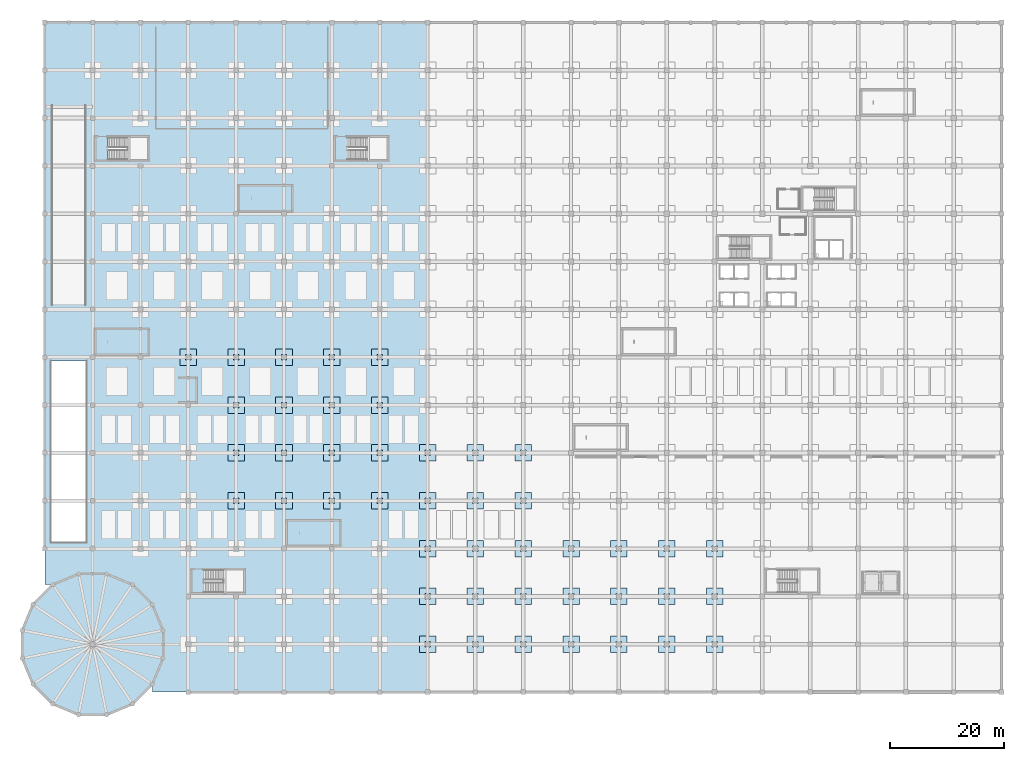
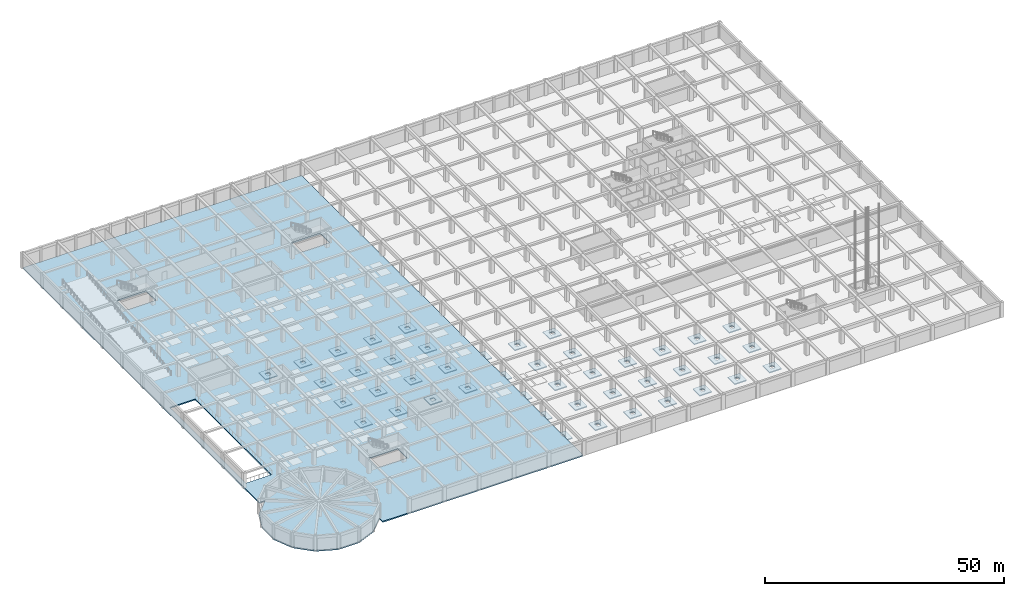
# One storey, part 10 of 32: 45 slabs.
"""IFC4 building model written with IfcOpenShell, lengths in metres."""

from ifc_helpers import new_model, si_unit, direction, frame, origin, place, context, subcontext, project, spatial, polyline, outline, extrude, material, layer, layer_set, type_object, element, save


model = new_model("IFC4")

# Units and contexts
model_context = context("Model", 3, precision=1e-05, world=origin(), true_north=direction((0.0, 1.0)))
body_context = subcontext(model_context, "Body", "Model", "MODEL_VIEW")
ifc_project = project(units=[si_unit("LENGTHUNIT", "METRE"), si_unit("AREAUNIT", "SQUARE_METRE"), si_unit("VOLUMEUNIT", "CUBIC_METRE"), si_unit("PLANEANGLEUNIT", "RADIAN"), si_unit("MASSUNIT", "GRAM", prefix="KILO")], contexts=[model_context])

# Site, building, storey
site_placement = place(None, origin())
site = spatial("IfcSite", under=ifc_project, at=site_placement, CompositionType="ELEMENT")
building_placement = place(site_placement, origin())
building = spatial("IfcBuilding", under=site, at=building_placement, Name="Almacenes y Pasaje Nevantli", CompositionType="ELEMENT")
storey_placement = place(building_placement, frame((0.0, 0.0, -4.199951171875)))
storey = spatial("IfcBuildingStorey", under=building, at=storey_placement, Name="B01", CompositionType="ELEMENT", Elevation=-4.199951171875)

# Slabs
ifc_material_1 = material(Name="Concrete C35/45", Category="concrete")
ifc_layer_1 = layer(ifc_material_1, 0.25)
ifc_layer_set_1 = layer_set([ifc_layer_1], Name="Concrete C35/45")
slab_type_1 = type_object("IfcSlabType", Name="SLB-DP-250", PredefinedType="USERDEFINED", material=ifc_layer_set_1)
slab_1_placement = place(storey_placement, frame((0.0, 0.0, -0.550048828125)))
element("IfcSlab", 1, at=slab_1_placement, inside=storey, type_object=slab_type_1, Name="B01 Punching-Shear Drop Panel DP-02 #15", ObjectType="DROP PANEL", PredefinedType="USERDEFINED", context=body_context, shape_type="SweptSolid", body=[
    extrude(outline(polyline([(23.75, 57.35009765625), (26.64990234375, 57.35009765625), (26.64990234375, 60.25), (23.75, 60.25), (23.75, 57.35009765625)]), holes=[polyline([(24.719970703125, 58.320068359375), (25.679931640625, 58.320068359375), (25.679931640625, 59.280029296875), (24.719970703125, 59.280029296875), (24.719970703125, 58.320068359375)])]), origin(), (0.0, 0.0, 1.0), 0.25),
])
slab_2_placement = place(storey_placement, frame((0.0, 0.0, -0.550048828125)))
element("IfcSlab", 2, at=slab_2_placement, inside=storey, type_object=slab_type_1, Name="B01 Punching-Shear Drop Panel DP-02 #24", ObjectType="DROP PANEL", PredefinedType="USERDEFINED", context=body_context, shape_type="SweptSolid", body=[
    extrude(outline(polyline([(32.14990234375, 32.14990234375), (35.050048828125, 32.14990234375), (35.050048828125, 35.050048828125), (32.14990234375, 35.050048828125), (32.14990234375, 32.14990234375)]), holes=[polyline([(33.1201171875, 33.1201171875), (34.080078125, 33.1201171875), (34.080078125, 34.080078125), (33.1201171875, 34.080078125), (33.1201171875, 33.1201171875)])]), origin(), (0.0, 0.0, 1.0), 0.25),
])
slab_3_placement = place(storey_placement, frame((0.0, 0.0, -0.550048828125)))
element("IfcSlab", 3, at=slab_3_placement, inside=storey, type_object=slab_type_1, Name="B01 Punching-Shear Drop Panel DP-02 #25", ObjectType="DROP PANEL", PredefinedType="USERDEFINED", context=body_context, shape_type="SweptSolid", body=[
    extrude(outline(polyline([(32.14990234375, 40.550048828125), (35.050048828125, 40.550048828125), (35.050048828125, 43.449951171875), (32.14990234375, 43.449951171875), (32.14990234375, 40.550048828125)]), holes=[polyline([(33.1201171875, 41.52001953125), (34.080078125, 41.52001953125), (34.080078125, 42.47998046875), (33.1201171875, 42.47998046875), (33.1201171875, 41.52001953125)])]), origin(), (0.0, 0.0, 1.0), 0.25),
])
slab_4_placement = place(storey_placement, frame((0.0, 0.0, -0.550048828125)))
element("IfcSlab", 4, at=slab_4_placement, inside=storey, type_object=slab_type_1, Name="B01 Punching-Shear Drop Panel DP-02 #26", ObjectType="DROP PANEL", PredefinedType="USERDEFINED", context=body_context, shape_type="SweptSolid", body=[
    extrude(outline(polyline([(32.14990234375, 48.949951171875), (35.050048828125, 48.949951171875), (35.050048828125, 51.85009765625), (32.14990234375, 51.85009765625), (32.14990234375, 48.949951171875)]), holes=[polyline([(33.1201171875, 49.919921875), (34.080078125, 49.919921875), (34.080078125, 50.8798828125), (33.1201171875, 50.8798828125), (33.1201171875, 49.919921875)])]), origin(), (0.0, 0.0, 1.0), 0.25),
])
slab_5_placement = place(storey_placement, frame((0.0, 0.0, -0.550048828125)))
element("IfcSlab", 5, at=slab_5_placement, inside=storey, type_object=slab_type_1, Name="B01 Punching-Shear Drop Panel DP-02 #27", ObjectType="DROP PANEL", PredefinedType="USERDEFINED", context=body_context, shape_type="SweptSolid", body=[
    extrude(outline(polyline([(32.14990234375, 57.35009765625), (35.050048828125, 57.35009765625), (35.050048828125, 60.25), (32.14990234375, 60.25), (32.14990234375, 57.35009765625)]), holes=[polyline([(33.1201171875, 58.320068359375), (34.080078125, 58.320068359375), (34.080078125, 59.280029296875), (33.1201171875, 59.280029296875), (33.1201171875, 58.320068359375)])]), origin(), (0.0, 0.0, 1.0), 0.25),
])
slab_6_placement = place(storey_placement, frame((0.0, 0.0, -0.550048828125)))
element("IfcSlab", 6, at=slab_6_placement, inside=storey, type_object=slab_type_1, Name="B01 Punching-Shear Drop Panel DP-02 #35", ObjectType="DROP PANEL", PredefinedType="USERDEFINED", context=body_context, shape_type="SweptSolid", body=[
    extrude(outline(polyline([(40.550048828125, 32.14990234375), (43.449951171875, 32.14990234375), (43.449951171875, 35.050048828125), (40.550048828125, 35.050048828125), (40.550048828125, 32.14990234375)]), holes=[polyline([(41.52001953125, 33.1201171875), (42.47998046875, 33.1201171875), (42.47998046875, 34.080078125), (41.52001953125, 34.080078125), (41.52001953125, 33.1201171875)])]), origin(), (0.0, 0.0, 1.0), 0.25),
])
slab_7_placement = place(storey_placement, frame((0.0, 0.0, -0.550048828125)))
element("IfcSlab", 7, at=slab_7_placement, inside=storey, type_object=slab_type_1, Name="B01 Punching-Shear Drop Panel DP-02 #36", ObjectType="DROP PANEL", PredefinedType="USERDEFINED", context=body_context, shape_type="SweptSolid", body=[
    extrude(outline(polyline([(40.550048828125, 40.550048828125), (43.449951171875, 40.550048828125), (43.449951171875, 43.449951171875), (40.550048828125, 43.449951171875), (40.550048828125, 40.550048828125)]), holes=[polyline([(41.52001953125, 41.52001953125), (42.47998046875, 41.52001953125), (42.47998046875, 42.47998046875), (41.52001953125, 42.47998046875), (41.52001953125, 41.52001953125)])]), origin(), (0.0, 0.0, 1.0), 0.25),
])
slab_8_placement = place(storey_placement, frame((0.0, 0.0, -0.550048828125)))
element("IfcSlab", 8, at=slab_8_placement, inside=storey, type_object=slab_type_1, Name="B01 Punching-Shear Drop Panel DP-02 #37", ObjectType="DROP PANEL", PredefinedType="USERDEFINED", context=body_context, shape_type="SweptSolid", body=[
    extrude(outline(polyline([(40.550048828125, 48.949951171875), (43.449951171875, 48.949951171875), (43.449951171875, 51.85009765625), (40.550048828125, 51.85009765625), (40.550048828125, 48.949951171875)]), holes=[polyline([(41.52001953125, 49.919921875), (42.47998046875, 49.919921875), (42.47998046875, 50.8798828125), (41.52001953125, 50.8798828125), (41.52001953125, 49.919921875)])]), origin(), (0.0, 0.0, 1.0), 0.25),
])
slab_9_placement = place(storey_placement, frame((0.0, 0.0, -0.550048828125)))
element("IfcSlab", 9, at=slab_9_placement, inside=storey, type_object=slab_type_1, Name="B01 Punching-Shear Drop Panel DP-02 #38", ObjectType="DROP PANEL", PredefinedType="USERDEFINED", context=body_context, shape_type="SweptSolid", body=[
    extrude(outline(polyline([(40.550048828125, 57.35009765625), (43.449951171875, 57.35009765625), (43.449951171875, 60.25), (40.550048828125, 60.25), (40.550048828125, 57.35009765625)]), holes=[polyline([(41.52001953125, 58.320068359375), (42.47998046875, 58.320068359375), (42.47998046875, 59.280029296875), (41.52001953125, 59.280029296875), (41.52001953125, 58.320068359375)])]), origin(), (0.0, 0.0, 1.0), 0.25),
])
slab_10_placement = place(storey_placement, frame((0.0, 0.0, -0.550048828125)))
element("IfcSlab", 10, at=slab_10_placement, inside=storey, type_object=slab_type_1, Name="B01 Punching-Shear Drop Panel DP-02 #46", ObjectType="DROP PANEL", PredefinedType="USERDEFINED", context=body_context, shape_type="SweptSolid", body=[
    extrude(outline(polyline([(48.949951171875, 32.14990234375), (51.85009765625, 32.14990234375), (51.85009765625, 35.050048828125), (48.949951171875, 35.050048828125), (48.949951171875, 32.14990234375)]), holes=[polyline([(49.919921875, 33.1201171875), (50.8798828125, 33.1201171875), (50.8798828125, 34.080078125), (49.919921875, 34.080078125), (49.919921875, 33.1201171875)])]), origin(), (0.0, 0.0, 1.0), 0.25),
])
slab_11_placement = place(storey_placement, frame((0.0, 0.0, -0.550048828125)))
element("IfcSlab", 11, at=slab_11_placement, inside=storey, type_object=slab_type_1, Name="B01 Punching-Shear Drop Panel DP-02 #47", ObjectType="DROP PANEL", PredefinedType="USERDEFINED", context=body_context, shape_type="SweptSolid", body=[
    extrude(outline(polyline([(48.949951171875, 40.550048828125), (51.85009765625, 40.550048828125), (51.85009765625, 43.449951171875), (48.949951171875, 43.449951171875), (48.949951171875, 40.550048828125)]), holes=[polyline([(49.919921875, 41.52001953125), (50.8798828125, 41.52001953125), (50.8798828125, 42.47998046875), (49.919921875, 42.47998046875), (49.919921875, 41.52001953125)])]), origin(), (0.0, 0.0, 1.0), 0.25),
])
slab_12_placement = place(storey_placement, frame((0.0, 0.0, -0.550048828125)))
element("IfcSlab", 12, at=slab_12_placement, inside=storey, type_object=slab_type_1, Name="B01 Punching-Shear Drop Panel DP-02 #48", ObjectType="DROP PANEL", PredefinedType="USERDEFINED", context=body_context, shape_type="SweptSolid", body=[
    extrude(outline(polyline([(48.949951171875, 48.949951171875), (51.85009765625, 48.949951171875), (51.85009765625, 51.85009765625), (48.949951171875, 51.85009765625), (48.949951171875, 48.949951171875)]), holes=[polyline([(49.919921875, 49.919921875), (50.8798828125, 49.919921875), (50.8798828125, 50.8798828125), (49.919921875, 50.8798828125), (49.919921875, 49.919921875)])]), origin(), (0.0, 0.0, 1.0), 0.25),
])
slab_13_placement = place(storey_placement, frame((0.0, 0.0, -0.550048828125)))
element("IfcSlab", 13, at=slab_13_placement, inside=storey, type_object=slab_type_1, Name="B01 Punching-Shear Drop Panel DP-02 #49", ObjectType="DROP PANEL", PredefinedType="USERDEFINED", context=body_context, shape_type="SweptSolid", body=[
    extrude(outline(polyline([(48.949951171875, 57.35009765625), (51.85009765625, 57.35009765625), (51.85009765625, 60.25), (48.949951171875, 60.25), (48.949951171875, 57.35009765625)]), holes=[polyline([(49.919921875, 58.320068359375), (50.8798828125, 58.320068359375), (50.8798828125, 59.280029296875), (49.919921875, 59.280029296875), (49.919921875, 58.320068359375)])]), origin(), (0.0, 0.0, 1.0), 0.25),
])
slab_14_placement = place(storey_placement, frame((0.0, 0.0, -0.550048828125)))
element("IfcSlab", 14, at=slab_14_placement, inside=storey, type_object=slab_type_1, Name="B01 Punching-Shear Drop Panel DP-02 #58", ObjectType="DROP PANEL", PredefinedType="USERDEFINED", context=body_context, shape_type="SweptSolid", body=[
    extrude(outline(polyline([(57.35009765625, 32.14990234375), (60.25, 32.14990234375), (60.25, 35.050048828125), (57.35009765625, 35.050048828125), (57.35009765625, 32.14990234375)]), holes=[polyline([(58.320068359375, 33.1201171875), (59.280029296875, 33.1201171875), (59.280029296875, 34.080078125), (58.320068359375, 34.080078125), (58.320068359375, 33.1201171875)])]), origin(), (0.0, 0.0, 1.0), 0.25),
])
slab_15_placement = place(storey_placement, frame((0.0, 0.0, -0.550048828125)))
element("IfcSlab", 15, at=slab_15_placement, inside=storey, type_object=slab_type_1, Name="B01 Punching-Shear Drop Panel DP-02 #59", ObjectType="DROP PANEL", PredefinedType="USERDEFINED", context=body_context, shape_type="SweptSolid", body=[
    extrude(outline(polyline([(57.35009765625, 40.550048828125), (60.25, 40.550048828125), (60.25, 43.449951171875), (57.35009765625, 43.449951171875), (57.35009765625, 40.550048828125)]), holes=[polyline([(58.320068359375, 41.52001953125), (59.280029296875, 41.52001953125), (59.280029296875, 42.47998046875), (58.320068359375, 42.47998046875), (58.320068359375, 41.52001953125)])]), origin(), (0.0, 0.0, 1.0), 0.25),
])
slab_16_placement = place(storey_placement, frame((0.0, 0.0, -0.550048828125)))
element("IfcSlab", 16, at=slab_16_placement, inside=storey, type_object=slab_type_1, Name="B01 Punching-Shear Drop Panel DP-02 #60", ObjectType="DROP PANEL", PredefinedType="USERDEFINED", context=body_context, shape_type="SweptSolid", body=[
    extrude(outline(polyline([(57.35009765625, 48.949951171875), (60.25, 48.949951171875), (60.25, 51.85009765625), (57.35009765625, 51.85009765625), (57.35009765625, 48.949951171875)]), holes=[polyline([(58.320068359375, 49.919921875), (59.280029296875, 49.919921875), (59.280029296875, 50.8798828125), (58.320068359375, 50.8798828125), (58.320068359375, 49.919921875)])]), origin(), (0.0, 0.0, 1.0), 0.25),
])
slab_17_placement = place(storey_placement, frame((0.0, 0.0, -0.550048828125)))
element("IfcSlab", 17, at=slab_17_placement, inside=storey, type_object=slab_type_1, Name="B01 Punching-Shear Drop Panel DP-02 #61", ObjectType="DROP PANEL", PredefinedType="USERDEFINED", context=body_context, shape_type="SweptSolid", body=[
    extrude(outline(polyline([(57.35009765625, 57.35009765625), (60.25, 57.35009765625), (60.25, 60.25), (57.35009765625, 60.25), (57.35009765625, 57.35009765625)]), holes=[polyline([(58.320068359375, 58.320068359375), (59.280029296875, 58.320068359375), (59.280029296875, 59.280029296875), (58.320068359375, 59.280029296875), (58.320068359375, 58.320068359375)])]), origin(), (0.0, 0.0, 1.0), 0.25),
])
slab_18_placement = place(storey_placement, frame((0.0, 0.0, -0.550048828125)))
element("IfcSlab", 18, at=slab_18_placement, inside=storey, type_object=slab_type_1, Name="B01 Punching-Shear Drop Panel DP-02 #67", ObjectType="DROP PANEL", PredefinedType="USERDEFINED", context=body_context, shape_type="SweptSolid", body=[
    extrude(outline(polyline([(65.75, 6.949951171875), (68.64990234375, 6.949951171875), (68.64990234375, 9.85009765625), (65.75, 9.85009765625), (65.75, 6.949951171875)]), holes=[polyline([(66.719970703125, 7.919921875), (67.679931640625, 7.919921875), (67.679931640625, 8.8798828125), (66.719970703125, 8.8798828125), (66.719970703125, 7.919921875)])]), origin(), (0.0, 0.0, 1.0), 0.25),
])
slab_19_placement = place(storey_placement, frame((0.0, 0.0, -0.550048828125)))
element("IfcSlab", 19, at=slab_19_placement, inside=storey, type_object=slab_type_1, Name="B01 Punching-Shear Drop Panel DP-02 #68", ObjectType="DROP PANEL", PredefinedType="USERDEFINED", context=body_context, shape_type="SweptSolid", body=[
    extrude(outline(polyline([(65.75, 15.35009765625), (68.64990234375, 15.35009765625), (68.64990234375, 18.25), (65.75, 18.25), (65.75, 15.35009765625)]), holes=[polyline([(66.719970703125, 16.320068359375), (67.679931640625, 16.320068359375), (67.679931640625, 17.280029296875), (66.719970703125, 17.280029296875), (66.719970703125, 16.320068359375)])]), origin(), (0.0, 0.0, 1.0), 0.25),
])
slab_20_placement = place(storey_placement, frame((0.0, 0.0, -0.550048828125)))
element("IfcSlab", 20, at=slab_20_placement, inside=storey, type_object=slab_type_1, Name="B01 Punching-Shear Drop Panel DP-02 #69", ObjectType="DROP PANEL", PredefinedType="USERDEFINED", context=body_context, shape_type="SweptSolid", body=[
    extrude(outline(polyline([(65.75, 23.75), (68.64990234375, 23.75), (68.64990234375, 26.64990234375), (65.75, 26.64990234375), (65.75, 23.75)]), holes=[polyline([(66.719970703125, 24.719970703125), (67.679931640625, 24.719970703125), (67.679931640625, 25.679931640625), (66.719970703125, 25.679931640625), (66.719970703125, 24.719970703125)])]), origin(), (0.0, 0.0, 1.0), 0.25),
])
slab_21_placement = place(storey_placement, frame((0.0, 0.0, -0.550048828125)))
element("IfcSlab", 21, at=slab_21_placement, inside=storey, type_object=slab_type_1, Name="B01 Punching-Shear Drop Panel DP-02 #70", ObjectType="DROP PANEL", PredefinedType="USERDEFINED", context=body_context, shape_type="SweptSolid", body=[
    extrude(outline(polyline([(65.75, 32.14990234375), (68.64990234375, 32.14990234375), (68.64990234375, 35.050048828125), (65.75, 35.050048828125), (65.75, 32.14990234375)]), holes=[polyline([(66.719970703125, 33.1201171875), (67.679931640625, 33.1201171875), (67.679931640625, 34.080078125), (66.719970703125, 34.080078125), (66.719970703125, 33.1201171875)])]), origin(), (0.0, 0.0, 1.0), 0.25),
])
slab_22_placement = place(storey_placement, frame((0.0, 0.0, -0.550048828125)))
element("IfcSlab", 22, at=slab_22_placement, inside=storey, type_object=slab_type_1, Name="B01 Punching-Shear Drop Panel DP-02 #71", ObjectType="DROP PANEL", PredefinedType="USERDEFINED", context=body_context, shape_type="SweptSolid", body=[
    extrude(outline(polyline([(65.75, 40.550048828125), (68.64990234375, 40.550048828125), (68.64990234375, 43.449951171875), (65.75, 43.449951171875), (65.75, 40.550048828125)]), holes=[polyline([(66.719970703125, 41.52001953125), (67.679931640625, 41.52001953125), (67.679931640625, 42.47998046875), (66.719970703125, 42.47998046875), (66.719970703125, 41.52001953125)])]), origin(), (0.0, 0.0, 1.0), 0.25),
])
slab_23_placement = place(storey_placement, frame((0.0, 0.0, -0.550048828125)))
element("IfcSlab", 23, at=slab_23_placement, inside=storey, type_object=slab_type_1, Name="B01 Punching-Shear Drop Panel DP-02 #80", ObjectType="DROP PANEL", PredefinedType="USERDEFINED", context=body_context, shape_type="SweptSolid", body=[
    extrude(outline(polyline([(74.14990234375, 6.949951171875), (77.050048828125, 6.949951171875), (77.050048828125, 9.85009765625), (74.14990234375, 9.85009765625), (74.14990234375, 6.949951171875)]), holes=[polyline([(75.1201171875, 7.919921875), (76.080078125, 7.919921875), (76.080078125, 8.8798828125), (75.1201171875, 8.8798828125), (75.1201171875, 7.919921875)])]), origin(), (0.0, 0.0, 1.0), 0.25),
])
slab_24_placement = place(storey_placement, frame((0.0, 0.0, -0.550048828125)))
element("IfcSlab", 24, at=slab_24_placement, inside=storey, type_object=slab_type_1, Name="B01 Punching-Shear Drop Panel DP-02 #81", ObjectType="DROP PANEL", PredefinedType="USERDEFINED", context=body_context, shape_type="SweptSolid", body=[
    extrude(outline(polyline([(74.14990234375, 15.35009765625), (77.050048828125, 15.35009765625), (77.050048828125, 18.25), (74.14990234375, 18.25), (74.14990234375, 15.35009765625)]), holes=[polyline([(75.1201171875, 16.320068359375), (76.080078125, 16.320068359375), (76.080078125, 17.280029296875), (75.1201171875, 17.280029296875), (75.1201171875, 16.320068359375)])]), origin(), (0.0, 0.0, 1.0), 0.25),
])
slab_25_placement = place(storey_placement, frame((0.0, 0.0, -0.550048828125)))
element("IfcSlab", 25, at=slab_25_placement, inside=storey, type_object=slab_type_1, Name="B01 Punching-Shear Drop Panel DP-02 #82", ObjectType="DROP PANEL", PredefinedType="USERDEFINED", context=body_context, shape_type="SweptSolid", body=[
    extrude(outline(polyline([(74.14990234375, 23.75), (77.050048828125, 23.75), (77.050048828125, 26.64990234375), (74.14990234375, 26.64990234375), (74.14990234375, 23.75)]), holes=[polyline([(75.1201171875, 24.719970703125), (76.080078125, 24.719970703125), (76.080078125, 25.679931640625), (75.1201171875, 25.679931640625), (75.1201171875, 24.719970703125)])]), origin(), (0.0, 0.0, 1.0), 0.25),
])
slab_26_placement = place(storey_placement, frame((0.0, 0.0, -0.550048828125)))
element("IfcSlab", 26, at=slab_26_placement, inside=storey, type_object=slab_type_1, Name="B01 Punching-Shear Drop Panel DP-02 #83", ObjectType="DROP PANEL", PredefinedType="USERDEFINED", context=body_context, shape_type="SweptSolid", body=[
    extrude(outline(polyline([(74.14990234375, 32.14990234375), (77.050048828125, 32.14990234375), (77.050048828125, 35.050048828125), (74.14990234375, 35.050048828125), (74.14990234375, 32.14990234375)]), holes=[polyline([(75.1201171875, 33.1201171875), (76.080078125, 33.1201171875), (76.080078125, 34.080078125), (75.1201171875, 34.080078125), (75.1201171875, 33.1201171875)])]), origin(), (0.0, 0.0, 1.0), 0.25),
])
slab_27_placement = place(storey_placement, frame((0.0, 0.0, -0.550048828125)))
element("IfcSlab", 27, at=slab_27_placement, inside=storey, type_object=slab_type_1, Name="B01 Punching-Shear Drop Panel DP-02 #84", ObjectType="DROP PANEL", PredefinedType="USERDEFINED", context=body_context, shape_type="SweptSolid", body=[
    extrude(outline(polyline([(74.14990234375, 40.550048828125), (77.050048828125, 40.550048828125), (77.050048828125, 43.449951171875), (74.14990234375, 43.449951171875), (74.14990234375, 40.550048828125)]), holes=[polyline([(75.1201171875, 41.52001953125), (76.080078125, 41.52001953125), (76.080078125, 42.47998046875), (75.1201171875, 42.47998046875), (75.1201171875, 41.52001953125)])]), origin(), (0.0, 0.0, 1.0), 0.25),
])
slab_28_placement = place(storey_placement, frame((0.0, 0.0, -0.550048828125)))
element("IfcSlab", 28, at=slab_28_placement, inside=storey, type_object=slab_type_1, Name="B01 Punching-Shear Drop Panel DP-02 #93", ObjectType="DROP PANEL", PredefinedType="USERDEFINED", context=body_context, shape_type="SweptSolid", body=[
    extrude(outline(polyline([(82.550048828125, 6.949951171875), (85.449951171875, 6.949951171875), (85.449951171875, 9.85009765625), (82.550048828125, 9.85009765625), (82.550048828125, 6.949951171875)]), holes=[polyline([(83.52001953125, 7.919921875), (84.47998046875, 7.919921875), (84.47998046875, 8.8798828125), (83.52001953125, 8.8798828125), (83.52001953125, 7.919921875)])]), origin(), (0.0, 0.0, 1.0), 0.25),
])
slab_29_placement = place(storey_placement, frame((0.0, 0.0, -0.550048828125)))
element("IfcSlab", 29, at=slab_29_placement, inside=storey, type_object=slab_type_1, Name="B01 Punching-Shear Drop Panel DP-02 #94", ObjectType="DROP PANEL", PredefinedType="USERDEFINED", context=body_context, shape_type="SweptSolid", body=[
    extrude(outline(polyline([(82.550048828125, 15.35009765625), (85.449951171875, 15.35009765625), (85.449951171875, 18.25), (82.550048828125, 18.25), (82.550048828125, 15.35009765625)]), holes=[polyline([(83.52001953125, 16.320068359375), (84.47998046875, 16.320068359375), (84.47998046875, 17.280029296875), (83.52001953125, 17.280029296875), (83.52001953125, 16.320068359375)])]), origin(), (0.0, 0.0, 1.0), 0.25),
])
slab_30_placement = place(storey_placement, frame((0.0, 0.0, -0.550048828125)))
element("IfcSlab", 30, at=slab_30_placement, inside=storey, type_object=slab_type_1, Name="B01 Punching-Shear Drop Panel DP-02 #95", ObjectType="DROP PANEL", PredefinedType="USERDEFINED", context=body_context, shape_type="SweptSolid", body=[
    extrude(outline(polyline([(82.550048828125, 23.75), (85.449951171875, 23.75), (85.449951171875, 26.64990234375), (82.550048828125, 26.64990234375), (82.550048828125, 23.75)]), holes=[polyline([(83.52001953125, 24.719970703125), (84.47998046875, 24.719970703125), (84.47998046875, 25.679931640625), (83.52001953125, 25.679931640625), (83.52001953125, 24.719970703125)])]), origin(), (0.0, 0.0, 1.0), 0.25),
])
slab_31_placement = place(storey_placement, frame((0.0, 0.0, -0.550048828125)))
element("IfcSlab", 31, at=slab_31_placement, inside=storey, type_object=slab_type_1, Name="B01 Punching-Shear Drop Panel DP-02 #96", ObjectType="DROP PANEL", PredefinedType="USERDEFINED", context=body_context, shape_type="SweptSolid", body=[
    extrude(outline(polyline([(82.550048828125, 32.14990234375), (85.449951171875, 32.14990234375), (85.449951171875, 35.050048828125), (82.550048828125, 35.050048828125), (82.550048828125, 32.14990234375)]), holes=[polyline([(83.52001953125, 33.1201171875), (84.47998046875, 33.1201171875), (84.47998046875, 34.080078125), (83.52001953125, 34.080078125), (83.52001953125, 33.1201171875)])]), origin(), (0.0, 0.0, 1.0), 0.25),
])
slab_32_placement = place(storey_placement, frame((0.0, 0.0, -0.550048828125)))
element("IfcSlab", 32, at=slab_32_placement, inside=storey, type_object=slab_type_1, Name="B01 Punching-Shear Drop Panel DP-02 #97", ObjectType="DROP PANEL", PredefinedType="USERDEFINED", context=body_context, shape_type="SweptSolid", body=[
    extrude(outline(polyline([(82.550048828125, 40.550048828125), (85.449951171875, 40.550048828125), (85.449951171875, 43.449951171875), (82.550048828125, 43.449951171875), (82.550048828125, 40.550048828125)]), holes=[polyline([(83.52001953125, 41.52001953125), (84.47998046875, 41.52001953125), (84.47998046875, 42.47998046875), (83.52001953125, 42.47998046875), (83.52001953125, 41.52001953125)])]), origin(), (0.0, 0.0, 1.0), 0.25),
])
slab_33_placement = place(storey_placement, frame((0.0, 0.0, -0.550048828125)))
element("IfcSlab", 33, at=slab_33_placement, inside=storey, type_object=slab_type_1, Name="B01 Punching-Shear Drop Panel DP-02 #106", ObjectType="DROP PANEL", PredefinedType="USERDEFINED", context=body_context, shape_type="SweptSolid", body=[
    extrude(outline(polyline([(90.949951171875, 6.949951171875), (93.85009765625, 6.949951171875), (93.85009765625, 9.85009765625), (90.949951171875, 9.85009765625), (90.949951171875, 6.949951171875)]), holes=[polyline([(91.919921875, 7.919921875), (92.8798828125, 7.919921875), (92.8798828125, 8.8798828125), (91.919921875, 8.8798828125), (91.919921875, 7.919921875)])]), origin(), (0.0, 0.0, 1.0), 0.25),
])
slab_34_placement = place(storey_placement, frame((0.0, 0.0, -0.550048828125)))
element("IfcSlab", 34, at=slab_34_placement, inside=storey, type_object=slab_type_1, Name="B01 Punching-Shear Drop Panel DP-02 #107", ObjectType="DROP PANEL", PredefinedType="USERDEFINED", context=body_context, shape_type="SweptSolid", body=[
    extrude(outline(polyline([(90.949951171875, 15.35009765625), (93.85009765625, 15.35009765625), (93.85009765625, 18.25), (90.949951171875, 18.25), (90.949951171875, 15.35009765625)]), holes=[polyline([(91.919921875, 16.320068359375), (92.8798828125, 16.320068359375), (92.8798828125, 17.280029296875), (91.919921875, 17.280029296875), (91.919921875, 16.320068359375)])]), origin(), (0.0, 0.0, 1.0), 0.25),
])
slab_35_placement = place(storey_placement, frame((0.0, 0.0, -0.550048828125)))
element("IfcSlab", 35, at=slab_35_placement, inside=storey, type_object=slab_type_1, Name="B01 Punching-Shear Drop Panel DP-02 #108", ObjectType="DROP PANEL", PredefinedType="USERDEFINED", context=body_context, shape_type="SweptSolid", body=[
    extrude(outline(polyline([(90.949951171875, 23.75), (93.85009765625, 23.75), (93.85009765625, 26.64990234375), (90.949951171875, 26.64990234375), (90.949951171875, 23.75)]), holes=[polyline([(91.919921875, 24.719970703125), (92.8798828125, 24.719970703125), (92.8798828125, 25.679931640625), (91.919921875, 25.679931640625), (91.919921875, 24.719970703125)])]), origin(), (0.0, 0.0, 1.0), 0.25),
])
slab_36_placement = place(storey_placement, frame((0.0, 0.0, -0.550048828125)))
element("IfcSlab", 36, at=slab_36_placement, inside=storey, type_object=slab_type_1, Name="B01 Punching-Shear Drop Panel DP-02 #118", ObjectType="DROP PANEL", PredefinedType="USERDEFINED", context=body_context, shape_type="SweptSolid", body=[
    extrude(outline(polyline([(99.35009765625, 6.949951171875), (102.25, 6.949951171875), (102.25, 9.85009765625), (99.35009765625, 9.85009765625), (99.35009765625, 6.949951171875)]), holes=[polyline([(100.320068359375, 7.919921875), (101.280029296875, 7.919921875), (101.280029296875, 8.8798828125), (100.320068359375, 8.8798828125), (100.320068359375, 7.919921875)])]), origin(), (0.0, 0.0, 1.0), 0.25),
])
slab_37_placement = place(storey_placement, frame((0.0, 0.0, -0.550048828125)))
element("IfcSlab", 37, at=slab_37_placement, inside=storey, type_object=slab_type_1, Name="B01 Punching-Shear Drop Panel DP-02 #119", ObjectType="DROP PANEL", PredefinedType="USERDEFINED", context=body_context, shape_type="SweptSolid", body=[
    extrude(outline(polyline([(99.35009765625, 15.35009765625), (102.25, 15.35009765625), (102.25, 18.25), (99.35009765625, 18.25), (99.35009765625, 15.35009765625)]), holes=[polyline([(100.320068359375, 16.320068359375), (101.280029296875, 16.320068359375), (101.280029296875, 17.280029296875), (100.320068359375, 17.280029296875), (100.320068359375, 16.320068359375)])]), origin(), (0.0, 0.0, 1.0), 0.25),
])
slab_38_placement = place(storey_placement, frame((0.0, 0.0, -0.550048828125)))
element("IfcSlab", 38, at=slab_38_placement, inside=storey, type_object=slab_type_1, Name="B01 Punching-Shear Drop Panel DP-02 #120", ObjectType="DROP PANEL", PredefinedType="USERDEFINED", context=body_context, shape_type="SweptSolid", body=[
    extrude(outline(polyline([(99.35009765625, 23.75), (102.25, 23.75), (102.25, 26.64990234375), (99.35009765625, 26.64990234375), (99.35009765625, 23.75)]), holes=[polyline([(100.320068359375, 24.719970703125), (101.280029296875, 24.719970703125), (101.280029296875, 25.679931640625), (100.320068359375, 25.679931640625), (100.320068359375, 24.719970703125)])]), origin(), (0.0, 0.0, 1.0), 0.25),
])
slab_39_placement = place(storey_placement, frame((0.0, 0.0, -0.550048828125)))
element("IfcSlab", 39, at=slab_39_placement, inside=storey, type_object=slab_type_1, Name="B01 Punching-Shear Drop Panel DP-02 #129", ObjectType="DROP PANEL", PredefinedType="USERDEFINED", context=body_context, shape_type="SweptSolid", body=[
    extrude(outline(polyline([(107.75, 6.949951171875), (110.64990234375, 6.949951171875), (110.64990234375, 9.85009765625), (107.75, 9.85009765625), (107.75, 6.949951171875)]), holes=[polyline([(108.719970703125, 7.919921875), (109.679931640625, 7.919921875), (109.679931640625, 8.8798828125), (108.719970703125, 8.8798828125), (108.719970703125, 7.919921875)])]), origin(), (0.0, 0.0, 1.0), 0.25),
])
slab_40_placement = place(storey_placement, frame((0.0, 0.0, -0.550048828125)))
element("IfcSlab", 40, at=slab_40_placement, inside=storey, type_object=slab_type_1, Name="B01 Punching-Shear Drop Panel DP-02 #130", ObjectType="DROP PANEL", PredefinedType="USERDEFINED", context=body_context, shape_type="SweptSolid", body=[
    extrude(outline(polyline([(107.75, 15.35009765625), (110.64990234375, 15.35009765625), (110.64990234375, 18.25), (107.75, 18.25), (107.75, 15.35009765625)]), holes=[polyline([(108.719970703125, 16.320068359375), (109.679931640625, 16.320068359375), (109.679931640625, 17.280029296875), (108.719970703125, 17.280029296875), (108.719970703125, 16.320068359375)])]), origin(), (0.0, 0.0, 1.0), 0.25),
])
slab_41_placement = place(storey_placement, frame((0.0, 0.0, -0.550048828125)))
element("IfcSlab", 41, at=slab_41_placement, inside=storey, type_object=slab_type_1, Name="B01 Punching-Shear Drop Panel DP-02 #131", ObjectType="DROP PANEL", PredefinedType="USERDEFINED", context=body_context, shape_type="SweptSolid", body=[
    extrude(outline(polyline([(107.75, 23.75), (110.64990234375, 23.75), (110.64990234375, 26.64990234375), (107.75, 26.64990234375), (107.75, 23.75)]), holes=[polyline([(108.719970703125, 24.719970703125), (109.679931640625, 24.719970703125), (109.679931640625, 25.679931640625), (108.719970703125, 25.679931640625), (108.719970703125, 24.719970703125)])]), origin(), (0.0, 0.0, 1.0), 0.25),
])
slab_42_placement = place(storey_placement, frame((0.0, 0.0, -0.550048828125)))
element("IfcSlab", 42, at=slab_42_placement, inside=storey, type_object=slab_type_1, Name="B01 Punching-Shear Drop Panel DP-02 #141", ObjectType="DROP PANEL", PredefinedType="USERDEFINED", context=body_context, shape_type="SweptSolid", body=[
    extrude(outline(polyline([(116.14990234375, 6.949951171875), (119.050048828125, 6.949951171875), (119.050048828125, 9.85009765625), (116.14990234375, 9.85009765625), (116.14990234375, 6.949951171875)]), holes=[polyline([(117.1201171875, 7.919921875), (118.080078125, 7.919921875), (118.080078125, 8.8798828125), (117.1201171875, 8.8798828125), (117.1201171875, 7.919921875)])]), origin(), (0.0, 0.0, 1.0), 0.25),
])
slab_43_placement = place(storey_placement, frame((0.0, 0.0, -0.550048828125)))
element("IfcSlab", 43, at=slab_43_placement, inside=storey, type_object=slab_type_1, Name="B01 Punching-Shear Drop Panel DP-02 #142", ObjectType="DROP PANEL", PredefinedType="USERDEFINED", context=body_context, shape_type="SweptSolid", body=[
    extrude(outline(polyline([(116.14990234375, 15.35009765625), (119.050048828125, 15.35009765625), (119.050048828125, 18.25), (116.14990234375, 18.25), (116.14990234375, 15.35009765625)]), holes=[polyline([(117.1201171875, 16.320068359375), (118.080078125, 16.320068359375), (118.080078125, 17.280029296875), (117.1201171875, 17.280029296875), (117.1201171875, 16.320068359375)])]), origin(), (0.0, 0.0, 1.0), 0.25),
])
slab_44_placement = place(storey_placement, frame((0.0, 0.0, -0.550048828125)))
element("IfcSlab", 44, at=slab_44_placement, inside=storey, type_object=slab_type_1, Name="B01 Punching-Shear Drop Panel DP-02 #143", ObjectType="DROP PANEL", PredefinedType="USERDEFINED", context=body_context, shape_type="SweptSolid", body=[
    extrude(outline(polyline([(116.14990234375, 23.75), (119.050048828125, 23.75), (119.050048828125, 26.64990234375), (116.14990234375, 26.64990234375), (116.14990234375, 23.75)]), holes=[polyline([(117.1201171875, 24.719970703125), (118.080078125, 24.719970703125), (118.080078125, 25.679931640625), (117.1201171875, 25.679931640625), (117.1201171875, 24.719970703125)])]), origin(), (0.0, 0.0, 1.0), 0.25),
])
ifc_material_2 = material(Name="Concrete C35/45", Category="concrete")
ifc_layer_2 = layer(ifc_material_2, 0.300048828125)
ifc_layer_set_2 = layer_set([ifc_layer_2], Name="Concrete C35/45")
slab_type_2 = type_object("IfcSlabType", Name="SLB-FLR-300", PredefinedType="FLOOR", material=ifc_layer_set_2)
slab_45_placement = place(storey_placement, frame((0.0, 0.0, -0.300048828125)))
element("IfcSlab", 45, at=slab_45_placement, inside=storey, type_object=slab_type_2, Name="B01 West Department Store and Rotunda Floor Slab", PredefinedType="FLOOR", context=body_context, shape_type="SweptSolid", body=[
    extrude(outline(polyline([(18.87646484375, 0.0), (67.199951171875, 0.0), (67.199951171875, 117.60009765625), (0.0, 117.60009765625), (0.0, 18.87646484375), (1.39990234375, 18.87646484375), (-2.076416015625, 15.400146484375), (-3.9580078125, 10.858154296875), (-3.9580078125, 5.94189453125), (-2.076416015625, 1.39990234375), (1.39990234375, -2.076416015625), (5.94189453125, -3.9580078125), (10.858154296875, -3.9580078125), (15.400146484375, -2.076416015625), (18.87646484375, 1.39990234375), (18.87646484375, 0.0)]), holes=[polyline([(11.114990234375, 93.449951171875), (18.10009765625, 93.449951171875), (18.10009765625, 97.39990234375), (11.114990234375, 97.39990234375), (11.114990234375, 93.449951171875)]), polyline([(27.9150390625, 17.5), (34.89990234375, 17.5), (34.89990234375, 21.449951171875), (27.9150390625, 21.449951171875), (27.9150390625, 17.5)]), polyline([(53.114990234375, 93.449951171875), (60.10009765625, 93.449951171875), (60.10009765625, 97.39990234375), (53.114990234375, 97.39990234375), (53.114990234375, 93.449951171875)]), polyline([(1.14990234375, 26.35009765625), (7.25, 26.35009765625), (7.25, 58.14990234375), (1.14990234375, 58.14990234375), (1.14990234375, 26.35009765625)])]), origin(), (0.0, 0.0, 1.0), 0.300048828125),
])

save(model, "model.ifc")
